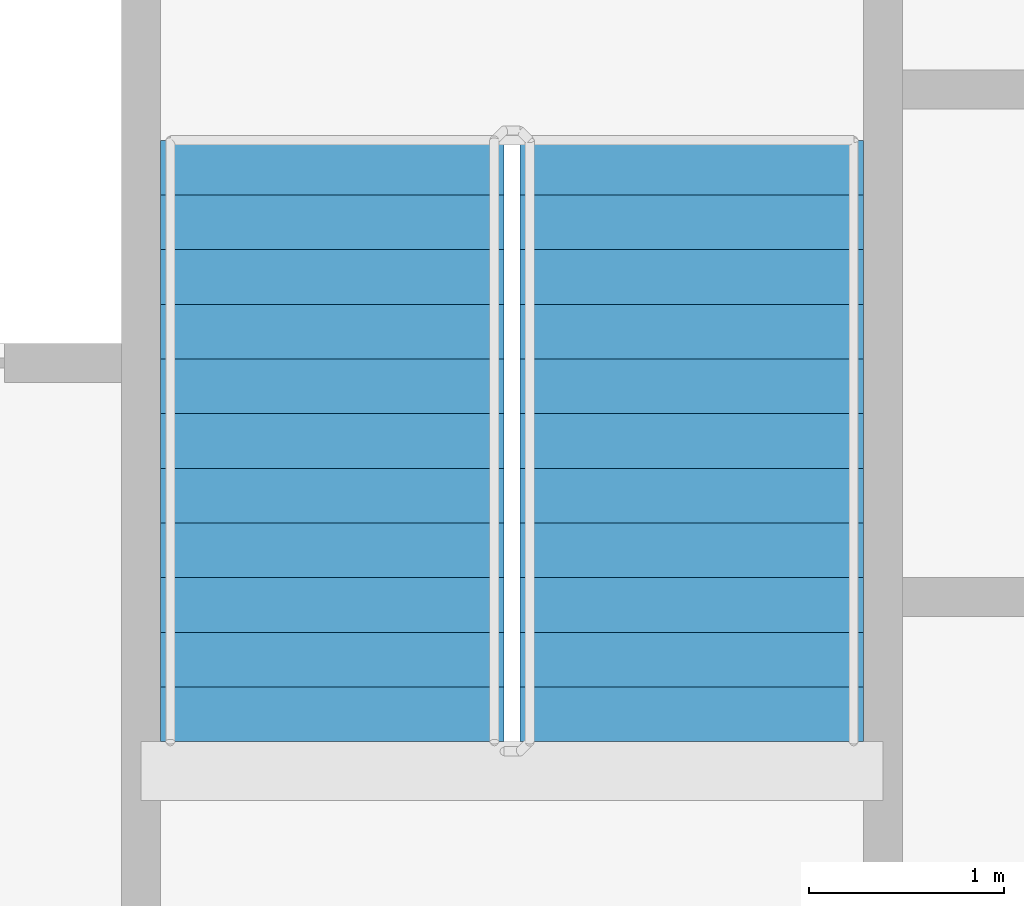
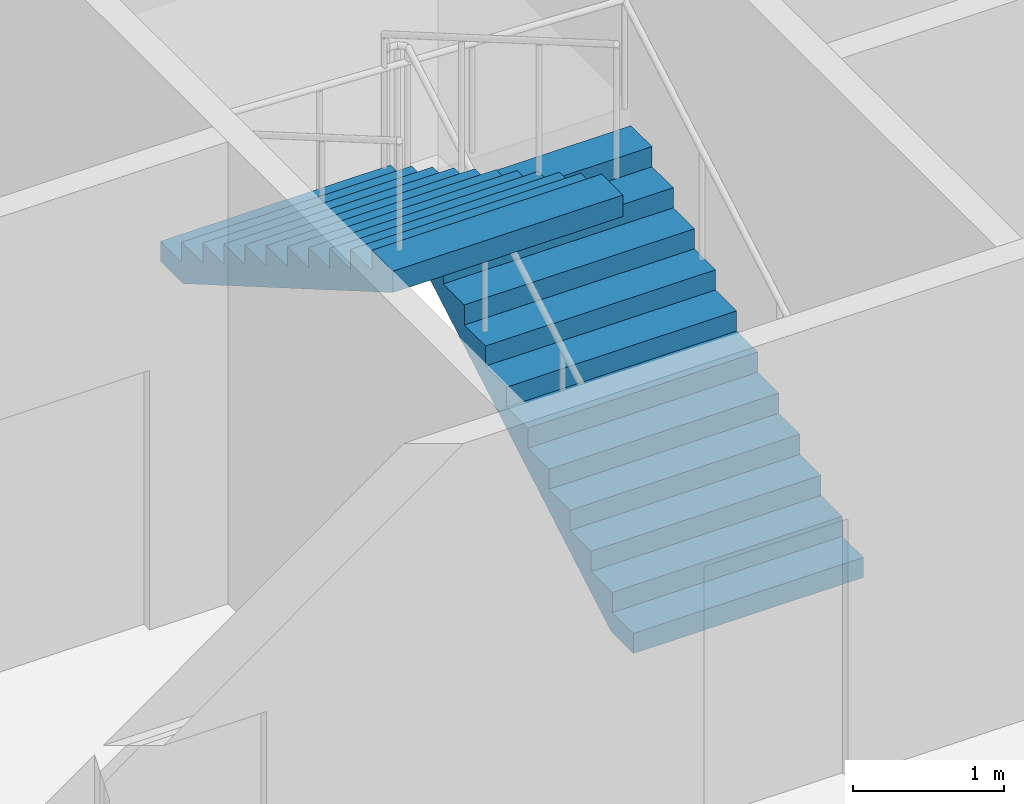
# One storey, part 18 of 23: 2 stair flights, 1 element without a shape of its own.
"""IFC4 building model written with IfcOpenShell, lengths in metres."""

import ifcopenshell
import ifcopenshell.guid

model = None  # the IFC model being written
_history = None  # IfcOwnerHistory: only IFC2X3 demands one
_inside = {}  # id of a spatial element -> (the spatial element, [elements in it])
_under = {}  # id of a project, library or spatial element -> (it, [spatial elements below it])
_declared = {}  # id of a project -> (the project, [libraries it declares])
_typed = {}  # id of a type object -> (the type object, [elements of that type])
_made_of = {}  # id of a material, layer set ... -> (it, [elements and type objects made of it])


def new_model(schema):
    """Start an empty IFC model of exactly this schema.

    Asked for "IFC4X3", IfcOpenShell would pick the latest addendum, in which some entities
    have other attributes; the version numbers below select the first issue.
    IFC2X3 requires an IfcOwnerHistory on every rooted entity: one is made here for all.
    """
    global model, _history
    if schema == "IFC4X3":
        model = ifcopenshell.file(schema_version=(4, 3, 0, 0))
    else:
        model = ifcopenshell.file(schema=schema)
    _inside.clear()
    _under.clear()
    _declared.clear()
    _typed.clear()
    _made_of.clear()
    _history = None
    if model.schema == "IFC2X3":
        org = make("IfcOrganization", Name="unknown")
        user = make(
            "IfcPersonAndOrganization",
            ThePerson=make("IfcPerson", FamilyName="unknown"),
            TheOrganization=org,
        )
        app = make(
            "IfcApplication",
            ApplicationDeveloper=org,
            Version="unknown",
            ApplicationFullName="unknown",
            ApplicationIdentifier="unknown",
        )
        _history = make(
            "IfcOwnerHistory",
            OwningUser=user,
            OwningApplication=app,
            ChangeAction="ADDED",
            CreationDate=0,
        )
    return model


def make(cls, **values):
    """One entity of the class cls with the attributes given. An attribute that is None is left unset."""
    return model.create_entity(
        cls, **{name: value for name, value in values.items() if value is not None}
    )


def rooted(cls, **values):
    """An entity with a GlobalId (a new one), such as an element, a storey or a relation."""
    return make(cls, GlobalId=ifcopenshell.guid.new(), OwnerHistory=_history, **values)


def si_unit(unit_type, name, prefix=None):
    """IfcSIUnit, for example si_unit("LENGTHUNIT", "METRE", prefix="MILLI")."""
    return make("IfcSIUnit", UnitType=unit_type, Prefix=prefix, Name=name)


def assignment(units):
    """IfcUnitAssignment: the units of a project."""
    return None if units is None else make("IfcUnitAssignment", Units=units)


def point(xyz):
    """IfcCartesianPoint."""
    return None if xyz is None else make("IfcCartesianPoint", Coordinates=xyz)


def direction(xyz):
    """IfcDirection."""
    return None if xyz is None else make("IfcDirection", DirectionRatios=xyz)


def frame(location, z_axis=None, x_axis=None):
    """IfcAxis2Placement3D, a coordinate frame: its origin and axes. An axis left out is left unset."""
    return make(
        "IfcAxis2Placement3D",
        Location=point(location),
        Axis=direction(z_axis),
        RefDirection=direction(x_axis),
    )


def origin():
    """The frame at (0, 0, 0) with its axes left unset."""
    return frame((0.0, 0.0, 0.0))


def place(relative_to, where):
    """IfcLocalPlacement: puts the frame where relative to a parent placement (None: the world)."""
    return make(
        "IfcLocalPlacement", PlacementRelTo=relative_to, RelativePlacement=where
    )


def context(
    kind, dimensions, precision=None, world=None, true_north=None, identifier=None
):
    """IfcGeometricRepresentationContext, for example the 3D "Model" context."""
    return make(
        "IfcGeometricRepresentationContext",
        ContextIdentifier=identifier,
        ContextType=kind,
        CoordinateSpaceDimension=dimensions,
        Precision=precision,
        WorldCoordinateSystem=world,
        TrueNorth=true_north,
    )


def subcontext(parent, identifier, kind, view, scale=None):
    """IfcGeometricRepresentationSubContext, for example "Body" below "Model"."""
    return make(
        "IfcGeometricRepresentationSubContext",
        ContextIdentifier=identifier,
        ContextType=kind,
        ParentContext=parent,
        TargetScale=scale,
        TargetView=view,
    )


def project(units=None, contexts=None):
    """IfcProject with its units and contexts."""
    return rooted(
        "IfcProject",
        Name="project",
        RepresentationContexts=contexts,
        UnitsInContext=assignment(units),
    )


def spatial(cls, under=None, at=None, **own):
    """A site, building, storey or space (cls), placed at a placement, below another one or the project."""
    s = rooted(cls, ObjectPlacement=at, **own)
    if under is not None:
        _under.setdefault(under.id(), (under, []))[1].append(s)
    return s


def faces_of(points, faces, orient=None, outer=None):
    """IfcFace entities. A face is a list of loops; a loop is a list of indices into points, from 0.

    orient and outer hold one flag for each loop. By default every Orientation is true, the
    first loop of a face is its IfcFaceOuterBound and the others are IfcFaceBound.
    """
    made = []
    for i, loops in enumerate(faces):
        bounds = []
        for j, loop in enumerate(loops):
            is_outer = j == 0 if outer is None else outer[i][j]
            bounds.append(
                make(
                    "IfcFaceOuterBound" if is_outer else "IfcFaceBound",
                    Bound=make("IfcPolyLoop", Polygon=[points[k] for k in loop]),
                    Orientation=True if orient is None else orient[i][j],
                )
            )
        made.append(make("IfcFace", Bounds=bounds))
    return made


def faceted_brep(points, faces, orient=None, outer=None, voids=None):
    """IfcFacetedBrep: a solid bounded by flat faces; with voids (closed shells), ...WithVoids."""
    shared = [point(p) for p in points]
    hull = make("IfcClosedShell", CfsFaces=faces_of(shared, faces, orient, outer))
    if voids is None:
        return make("IfcFacetedBrep", Outer=hull)
    return make(
        "IfcFacetedBrepWithVoids",
        Outer=hull,
        Voids=[
            make(cls, CfsFaces=faces_of(shared, fs, o, b)) for cls, fs, o, b in voids
        ],
    )


def shape(context_of_items, identifier, shape_type, items):
    """IfcShapeRepresentation: the items that make up one representation, for example the "Body"."""
    return make(
        "IfcShapeRepresentation",
        ContextOfItems=context_of_items,
        RepresentationIdentifier=identifier,
        RepresentationType=shape_type,
        Items=items,
    )


def material(Name=None, Category=None):
    """IfcMaterial."""
    return make("IfcMaterial", Name=Name, Category=Category)


def made_of(thing, what):
    """Note that an element or type object is made of a material, layer set ...; save() writes the relation."""
    if what is not None:
        _made_of.setdefault(what.id(), (what, []))[1].append(thing)
    return thing


def type_object(cls, material=None, **own):
    """A type object (cls), such as IfcWallType, which elements share."""
    return made_of(rooted(cls, **own), material)


def element(
    cls,
    number,
    at=None,
    inside=None,
    cuts=None,
    type_object=None,
    material=None,
    context=None,
    identifier="Body",
    shape_type=None,
    held_by="IfcProductDefinitionShape",
    body=None,
    shapes=None,
    **own,
):
    """One element of the class cls, such as IfcWall. Its Tag is "e" and its number.

    at: its placement. inside: the storey or other place that contains it. cuts: it is an
    opening in that element (IfcRelVoidsElement). A single representation is given by context,
    identifier, shape_type and body (its items); several are given by shapes. held_by: the class
    of the entity that holds the representations. save() writes the other relations.
    """
    e = rooted(cls, Tag="e%d" % number, ObjectPlacement=at, **own)
    if body is not None:
        shapes = [shape(context, identifier, shape_type, body)]
    if shapes is not None:
        e.Representation = make(held_by, Representations=shapes)
    if inside is not None:
        _inside.setdefault(inside.id(), (inside, []))[1].append(e)
    if cuts is not None:
        rooted(
            "IfcRelVoidsElement", RelatingBuildingElement=cuts, RelatedOpeningElement=e
        )
    if type_object is not None:
        _typed.setdefault(type_object.id(), (type_object, []))[1].append(e)
    return made_of(e, material)


def aggregate(whole, parts):
    """IfcRelAggregates: a whole, such as a stair, and the parts it consists of."""
    return rooted("IfcRelAggregates", RelatingObject=whole, RelatedObjects=parts)


def save(model, path):
    """Write the relations noted so far, then the file.

    IfcRelAggregates (storeys below a building ...), IfcRelContainedInSpatialStructure (elements
    in a storey), IfcRelDefinesByType, IfcRelAssociatesMaterial and IfcRelDeclares: one each for
    every whole, place, type object, material and project.
    """
    for whole, parts in _under.values():
        aggregate(whole, parts)
    for where, things in _inside.values():
        rooted(
            "IfcRelContainedInSpatialStructure",
            RelatedElements=things,
            RelatingStructure=where,
        )
    for kind, things in _typed.values():
        rooted("IfcRelDefinesByType", RelatedObjects=things, RelatingType=kind)
    for what, things in _made_of.values():
        rooted("IfcRelAssociatesMaterial", RelatedObjects=things, RelatingMaterial=what)
    for by, libraries in _declared.values():
        rooted("IfcRelDeclares", RelatingContext=by, RelatedDefinitions=libraries)
    model.write(path)


model = new_model("IFC4")

# Units and contexts
model_context = context("Model", 3, precision=1e-05, world=origin(), true_north=direction((0.0, 1.0)))
body_context = subcontext(model_context, "Body", "Model", "MODEL_VIEW")
ifc_project = project(units=[si_unit("LENGTHUNIT", "METRE"), si_unit("AREAUNIT", "SQUARE_METRE"), si_unit("VOLUMEUNIT", "CUBIC_METRE"), si_unit("PLANEANGLEUNIT", "RADIAN"), si_unit("MASSUNIT", "GRAM", prefix="KILO")], contexts=[model_context])

# Site, building, storey
site_placement = place(None, origin())
site = spatial("IfcSite", under=ifc_project, at=site_placement, CompositionType="ELEMENT")
building_placement = place(site_placement, origin())
building = spatial("IfcBuilding", under=site, at=building_placement, Name="Tarsis Ring Headquarters", CompositionType="ELEMENT")
storey_placement = place(building_placement, frame((0.0, 0.0, 239.39990234375)))
storey = spatial("IfcBuildingStorey", under=building, at=storey_placement, Name="L56", CompositionType="ELEMENT", Elevation=239.39990234375)

# Stair, stair flights
ifc_material_1 = material(Name="Core stair 1760")
stair_type = type_object("IfcStairType", Name="Core stair 1760", PredefinedType="HALF_TURN_STAIR", material=ifc_material_1)
stair_placement = place(storey_placement, origin())
stair = element("IfcStair", 1, at=stair_placement, inside=storey, type_object=stair_type, Name="L56 Exit stair B", PredefinedType="HALF_TURN_STAIR")
ifc_material_2 = material(Name="Concrete C40/50", Category="concrete")
stair_flight_type = type_object("IfcStairFlightType", Name="Core stair flight 1760", PredefinedType="STRAIGHT", material=ifc_material_2)
stair_flight_1_placement = place(storey_placement, frame((5.419921875, 3.659912109375, 0.0), z_axis=(0.0, 0.0, 1.0), x_axis=(0.0, 1.0, 0.0)))
stair_flight_1 = element("IfcStairFlight", 2, at=stair_flight_1_placement, type_object=stair_flight_type, Name="Stair ST2 flight 1", NumberOfRisers=12, NumberOfTreads=11, PredefinedType="STRAIGHT", RiserHeight=0.1625, TreadLength=0.28, context=body_context, shape_type="Brep", body=[
    faceted_brep([(0.0, 0.8798828125, 0.0), (0.0, 0.8798828125, 0.16259765625), (0.280029296875, 0.8798828125, 0.16259765625), (0.280029296875, 0.8798828125, 0.324951171875), (0.56005859375, 0.8798828125, 0.324951171875), (0.56005859375, 0.8798828125, 0.487548828125), (0.840087890625, 0.8798828125, 0.487548828125), (0.840087890625, 0.8798828125, 0.64990234375), (1.1201171875, 0.8798828125, 0.64990234375), (1.1201171875, 0.8798828125, 0.8125), (1.39990234375, 0.8798828125, 0.8125), (1.39990234375, 0.8798828125, 0.97509765625), (1.679931640625, 0.8798828125, 0.97509765625), (1.679931640625, 0.8798828125, 1.137451171875), (1.9599609375, 0.8798828125, 1.137451171875), (1.9599609375, 0.8798828125, 1.300048828125), (2.239990234375, 0.8798828125, 1.300048828125), (2.239990234375, 0.8798828125, 1.46240234375), (2.52001953125, 0.8798828125, 1.46240234375), (2.52001953125, 0.8798828125, 1.625), (2.800048828125, 0.8798828125, 1.625), (2.800048828125, 0.8798828125, 1.78759765625), (3.080078125, 0.8798828125, 1.78759765625), (3.080078125, 0.8798828125, 1.6142578125), (0.298583984375, 0.8798828125, 0.0), (0.298583984375, -0.8798828125, 0.0), (3.080078125, -0.8798828125, 1.6142578125), (3.080078125, -0.8798828125, 1.78759765625), (2.800048828125, -0.8798828125, 1.78759765625), (2.800048828125, -0.8798828125, 1.625), (2.52001953125, -0.8798828125, 1.625), (2.52001953125, -0.8798828125, 1.46240234375), (2.239990234375, -0.8798828125, 1.46240234375), (2.239990234375, -0.8798828125, 1.300048828125), (1.9599609375, -0.8798828125, 1.300048828125), (1.9599609375, -0.8798828125, 1.137451171875), (1.679931640625, -0.8798828125, 1.137451171875), (1.679931640625, -0.8798828125, 0.97509765625), (1.39990234375, -0.8798828125, 0.97509765625), (1.39990234375, -0.8798828125, 0.8125), (1.1201171875, -0.8798828125, 0.8125), (1.1201171875, -0.8798828125, 0.64990234375), (0.840087890625, -0.8798828125, 0.64990234375), (0.840087890625, -0.8798828125, 0.487548828125), (0.56005859375, -0.8798828125, 0.487548828125), (0.56005859375, -0.8798828125, 0.324951171875), (0.280029296875, -0.8798828125, 0.324951171875), (0.280029296875, -0.8798828125, 0.16259765625), (0.0, -0.8798828125, 0.16259765625), (0.0, -0.8798828125, 0.0), (0.0, -0.43994140625, 0.16259765625), (0.0, -0.43994140625, 0.0), (0.0, 0.0, 0.16259765625), (0.0, 0.0, 0.0), (0.0, 0.43994140625, 0.16259765625), (0.0, 0.43994140625, 0.0), (0.280029296875, -0.43994140625, 0.16259765625), (0.280029296875, 0.0, 0.16259765625), (0.280029296875, 0.43994140625, 0.16259765625), (0.280029296875, -0.43994140625, 0.324951171875), (0.280029296875, 0.0, 0.324951171875), (0.280029296875, 0.43994140625, 0.324951171875), (0.56005859375, -0.43994140625, 0.324951171875), (0.56005859375, 0.0, 0.324951171875), (0.56005859375, 0.43994140625, 0.324951171875), (0.56005859375, -0.43994140625, 0.487548828125), (0.56005859375, 0.0, 0.487548828125), (0.56005859375, 0.43994140625, 0.487548828125), (0.840087890625, -0.43994140625, 0.487548828125), (0.840087890625, 0.0, 0.487548828125), (0.840087890625, 0.43994140625, 0.487548828125), (0.840087890625, -0.43994140625, 0.64990234375), (0.840087890625, 0.0, 0.64990234375), (0.840087890625, 0.43994140625, 0.64990234375), (1.1201171875, -0.43994140625, 0.64990234375), (1.1201171875, 0.0, 0.64990234375), (1.1201171875, 0.43994140625, 0.64990234375), (1.1201171875, -0.43994140625, 0.8125), (1.1201171875, 0.0, 0.8125), (1.1201171875, 0.43994140625, 0.8125), (1.39990234375, -0.43994140625, 0.8125), (1.39990234375, 0.0, 0.8125), (1.39990234375, 0.43994140625, 0.8125), (1.39990234375, -0.43994140625, 0.97509765625), (1.39990234375, 0.0, 0.97509765625), (1.39990234375, 0.43994140625, 0.97509765625), (1.679931640625, -0.43994140625, 0.97509765625), (1.679931640625, 0.0, 0.97509765625), (1.679931640625, 0.43994140625, 0.97509765625), (1.679931640625, -0.43994140625, 1.137451171875), (1.679931640625, 0.0, 1.137451171875), (1.679931640625, 0.43994140625, 1.137451171875), (1.9599609375, -0.43994140625, 1.137451171875), (1.9599609375, 0.0, 1.137451171875), (1.9599609375, 0.43994140625, 1.137451171875), (1.9599609375, -0.43994140625, 1.300048828125), (1.9599609375, 0.0, 1.300048828125), (1.9599609375, 0.43994140625, 1.300048828125), (2.239990234375, -0.43994140625, 1.300048828125), (2.239990234375, 0.0, 1.300048828125), (2.239990234375, 0.43994140625, 1.300048828125), (2.239990234375, -0.43994140625, 1.46240234375), (2.239990234375, 0.0, 1.46240234375), (2.239990234375, 0.43994140625, 1.46240234375), (2.52001953125, -0.43994140625, 1.46240234375), (2.52001953125, 0.0, 1.46240234375), (2.52001953125, 0.43994140625, 1.46240234375), (2.52001953125, -0.43994140625, 1.625), (2.52001953125, 0.0, 1.625), (2.52001953125, 0.43994140625, 1.625), (2.800048828125, -0.43994140625, 1.625), (2.800048828125, 0.0, 1.625), (2.800048828125, 0.43994140625, 1.625), (2.800048828125, -0.43994140625, 1.78759765625), (2.800048828125, 0.0, 1.78759765625), (2.800048828125, 0.43994140625, 1.78759765625), (3.080078125, -0.43994140625, 1.78759765625), (3.080078125, 0.0, 1.78759765625), (3.080078125, 0.43994140625, 1.78759765625), (3.080078125, -0.43994140625, 1.6142578125), (3.080078125, 0.0, 1.6142578125), (3.080078125, 0.43994140625, 1.6142578125), (0.298583984375, -0.43994140625, 0.0), (0.298583984375, 0.0, 0.0), (0.298583984375, 0.43994140625, 0.0)], [[[0, 1, 2, 3, 4, 5, 6, 7, 8, 9, 10, 11, 12, 13, 14, 15, 16, 17, 18, 19, 20, 21, 22, 23, 24]], [[25, 26, 27, 28, 29, 30, 31, 32, 33, 34, 35, 36, 37, 38, 39, 40, 41, 42, 43, 44, 45, 46, 47, 48, 49]], [[49, 48, 50, 51]], [[51, 50, 52, 53]], [[53, 52, 54, 55]], [[55, 54, 1, 0]], [[48, 47, 56, 50]], [[50, 56, 57, 52]], [[52, 57, 58, 54]], [[54, 58, 2, 1]], [[47, 46, 59, 56]], [[56, 59, 60, 57]], [[57, 60, 61, 58]], [[58, 61, 3, 2]], [[46, 45, 62, 59]], [[59, 62, 63, 60]], [[60, 63, 64, 61]], [[61, 64, 4, 3]], [[45, 44, 65, 62]], [[62, 65, 66, 63]], [[63, 66, 67, 64]], [[64, 67, 5, 4]], [[44, 43, 68, 65]], [[65, 68, 69, 66]], [[66, 69, 70, 67]], [[67, 70, 6, 5]], [[43, 42, 71, 68]], [[68, 71, 72, 69]], [[69, 72, 73, 70]], [[70, 73, 7, 6]], [[42, 41, 74, 71]], [[71, 74, 75, 72]], [[72, 75, 76, 73]], [[73, 76, 8, 7]], [[41, 40, 77, 74]], [[74, 77, 78, 75]], [[75, 78, 79, 76]], [[76, 79, 9, 8]], [[40, 39, 80, 77]], [[77, 80, 81, 78]], [[78, 81, 82, 79]], [[79, 82, 10, 9]], [[39, 38, 83, 80]], [[80, 83, 84, 81]], [[81, 84, 85, 82]], [[82, 85, 11, 10]], [[38, 37, 86, 83]], [[83, 86, 87, 84]], [[84, 87, 88, 85]], [[85, 88, 12, 11]], [[37, 36, 89, 86]], [[86, 89, 90, 87]], [[87, 90, 91, 88]], [[88, 91, 13, 12]], [[36, 35, 92, 89]], [[89, 92, 93, 90]], [[90, 93, 94, 91]], [[91, 94, 14, 13]], [[35, 34, 95, 92]], [[92, 95, 96, 93]], [[93, 96, 97, 94]], [[94, 97, 15, 14]], [[34, 33, 98, 95]], [[95, 98, 99, 96]], [[96, 99, 100, 97]], [[97, 100, 16, 15]], [[33, 32, 101, 98]], [[98, 101, 102, 99]], [[99, 102, 103, 100]], [[100, 103, 17, 16]], [[32, 31, 104, 101]], [[101, 104, 105, 102]], [[102, 105, 106, 103]], [[103, 106, 18, 17]], [[31, 30, 107, 104]], [[104, 107, 108, 105]], [[105, 108, 109, 106]], [[106, 109, 19, 18]], [[30, 29, 110, 107]], [[107, 110, 111, 108]], [[108, 111, 112, 109]], [[109, 112, 20, 19]], [[29, 28, 113, 110]], [[110, 113, 114, 111]], [[111, 114, 115, 112]], [[112, 115, 21, 20]], [[28, 27, 116, 113]], [[113, 116, 117, 114]], [[114, 117, 118, 115]], [[115, 118, 22, 21]], [[27, 26, 119, 116]], [[116, 119, 120, 117]], [[117, 120, 121, 118]], [[118, 121, 23, 22]], [[26, 25, 122, 119]], [[119, 122, 123, 120]], [[120, 123, 124, 121]], [[121, 124, 24, 23]], [[25, 49, 51, 122]], [[122, 51, 53, 123]], [[123, 53, 55, 124]], [[124, 55, 0, 24]]]),
])
stair_flight_2_placement = place(storey_placement, frame((3.580078125, 6.739990234375, 1.9501953125), z_axis=(0.0, 0.0, 1.0), x_axis=(0.0, -1.0, 0.0)))
stair_flight_2 = element("IfcStairFlight", 3, at=stair_flight_2_placement, type_object=stair_flight_type, Name="Stair ST2 flight 2", NumberOfRisers=12, NumberOfTreads=11, PredefinedType="STRAIGHT", RiserHeight=0.1625, TreadLength=0.28, context=body_context, shape_type="Brep", body=[
    faceted_brep([(0.0, 0.8798828125, 0.0), (0.0, 0.8798828125, 0.16259765625), (0.280029296875, 0.8798828125, 0.16259765625), (0.280029296875, 0.8798828125, 0.324951171875), (0.56005859375, 0.8798828125, 0.324951171875), (0.56005859375, 0.8798828125, 0.487548828125), (0.840087890625, 0.8798828125, 0.487548828125), (0.840087890625, 0.8798828125, 0.64990234375), (1.1201171875, 0.8798828125, 0.64990234375), (1.1201171875, 0.8798828125, 0.8125), (1.39990234375, 0.8798828125, 0.8125), (1.39990234375, 0.8798828125, 0.97509765625), (1.679931640625, 0.8798828125, 0.97509765625), (1.679931640625, 0.8798828125, 1.137451171875), (1.9599609375, 0.8798828125, 1.137451171875), (1.9599609375, 0.8798828125, 1.300048828125), (2.239990234375, 0.8798828125, 1.300048828125), (2.239990234375, 0.8798828125, 1.46240234375), (2.52001953125, 0.8798828125, 1.46240234375), (2.52001953125, 0.8798828125, 1.625), (2.800048828125, 0.8798828125, 1.625), (2.800048828125, 0.8798828125, 1.78759765625), (3.080078125, 0.8798828125, 1.78759765625), (3.080078125, 0.8798828125, 1.6142578125), (0.298583984375, 0.8798828125, 0.0), (0.298583984375, -0.8798828125, 0.0), (3.080078125, -0.8798828125, 1.6142578125), (3.080078125, -0.8798828125, 1.78759765625), (2.800048828125, -0.8798828125, 1.78759765625), (2.800048828125, -0.8798828125, 1.625), (2.52001953125, -0.8798828125, 1.625), (2.52001953125, -0.8798828125, 1.46240234375), (2.239990234375, -0.8798828125, 1.46240234375), (2.239990234375, -0.8798828125, 1.300048828125), (1.9599609375, -0.8798828125, 1.300048828125), (1.9599609375, -0.8798828125, 1.137451171875), (1.679931640625, -0.8798828125, 1.137451171875), (1.679931640625, -0.8798828125, 0.97509765625), (1.39990234375, -0.8798828125, 0.97509765625), (1.39990234375, -0.8798828125, 0.8125), (1.1201171875, -0.8798828125, 0.8125), (1.1201171875, -0.8798828125, 0.64990234375), (0.840087890625, -0.8798828125, 0.64990234375), (0.840087890625, -0.8798828125, 0.487548828125), (0.56005859375, -0.8798828125, 0.487548828125), (0.56005859375, -0.8798828125, 0.324951171875), (0.280029296875, -0.8798828125, 0.324951171875), (0.280029296875, -0.8798828125, 0.16259765625), (0.0, -0.8798828125, 0.16259765625), (0.0, -0.8798828125, 0.0), (0.0, -0.43994140625, 0.16259765625), (0.0, -0.43994140625, 0.0), (0.0, 0.0, 0.16259765625), (0.0, 0.0, 0.0), (0.0, 0.43994140625, 0.16259765625), (0.0, 0.43994140625, 0.0), (0.280029296875, -0.43994140625, 0.16259765625), (0.280029296875, 0.0, 0.16259765625), (0.280029296875, 0.43994140625, 0.16259765625), (0.280029296875, -0.43994140625, 0.324951171875), (0.280029296875, 0.0, 0.324951171875), (0.280029296875, 0.43994140625, 0.324951171875), (0.56005859375, -0.43994140625, 0.324951171875), (0.56005859375, 0.0, 0.324951171875), (0.56005859375, 0.43994140625, 0.324951171875), (0.56005859375, -0.43994140625, 0.487548828125), (0.56005859375, 0.0, 0.487548828125), (0.56005859375, 0.43994140625, 0.487548828125), (0.840087890625, -0.43994140625, 0.487548828125), (0.840087890625, 0.0, 0.487548828125), (0.840087890625, 0.43994140625, 0.487548828125), (0.840087890625, -0.43994140625, 0.64990234375), (0.840087890625, 0.0, 0.64990234375), (0.840087890625, 0.43994140625, 0.64990234375), (1.1201171875, -0.43994140625, 0.64990234375), (1.1201171875, 0.0, 0.64990234375), (1.1201171875, 0.43994140625, 0.64990234375), (1.1201171875, -0.43994140625, 0.8125), (1.1201171875, 0.0, 0.8125), (1.1201171875, 0.43994140625, 0.8125), (1.39990234375, -0.43994140625, 0.8125), (1.39990234375, 0.0, 0.8125), (1.39990234375, 0.43994140625, 0.8125), (1.39990234375, -0.43994140625, 0.97509765625), (1.39990234375, 0.0, 0.97509765625), (1.39990234375, 0.43994140625, 0.97509765625), (1.679931640625, -0.43994140625, 0.97509765625), (1.679931640625, 0.0, 0.97509765625), (1.679931640625, 0.43994140625, 0.97509765625), (1.679931640625, -0.43994140625, 1.137451171875), (1.679931640625, 0.0, 1.137451171875), (1.679931640625, 0.43994140625, 1.137451171875), (1.9599609375, -0.43994140625, 1.137451171875), (1.9599609375, 0.0, 1.137451171875), (1.9599609375, 0.43994140625, 1.137451171875), (1.9599609375, -0.43994140625, 1.300048828125), (1.9599609375, 0.0, 1.300048828125), (1.9599609375, 0.43994140625, 1.300048828125), (2.239990234375, -0.43994140625, 1.300048828125), (2.239990234375, 0.0, 1.300048828125), (2.239990234375, 0.43994140625, 1.300048828125), (2.239990234375, -0.43994140625, 1.46240234375), (2.239990234375, 0.0, 1.46240234375), (2.239990234375, 0.43994140625, 1.46240234375), (2.52001953125, -0.43994140625, 1.46240234375), (2.52001953125, 0.0, 1.46240234375), (2.52001953125, 0.43994140625, 1.46240234375), (2.52001953125, -0.43994140625, 1.625), (2.52001953125, 0.0, 1.625), (2.52001953125, 0.43994140625, 1.625), (2.800048828125, -0.43994140625, 1.625), (2.800048828125, 0.0, 1.625), (2.800048828125, 0.43994140625, 1.625), (2.800048828125, -0.43994140625, 1.78759765625), (2.800048828125, 0.0, 1.78759765625), (2.800048828125, 0.43994140625, 1.78759765625), (3.080078125, -0.43994140625, 1.78759765625), (3.080078125, 0.0, 1.78759765625), (3.080078125, 0.43994140625, 1.78759765625), (3.080078125, -0.43994140625, 1.6142578125), (3.080078125, 0.0, 1.6142578125), (3.080078125, 0.43994140625, 1.6142578125), (0.298583984375, -0.43994140625, 0.0), (0.298583984375, 0.0, 0.0), (0.298583984375, 0.43994140625, 0.0)], [[[0, 1, 2, 3, 4, 5, 6, 7, 8, 9, 10, 11, 12, 13, 14, 15, 16, 17, 18, 19, 20, 21, 22, 23, 24]], [[25, 26, 27, 28, 29, 30, 31, 32, 33, 34, 35, 36, 37, 38, 39, 40, 41, 42, 43, 44, 45, 46, 47, 48, 49]], [[49, 48, 50, 51]], [[51, 50, 52, 53]], [[53, 52, 54, 55]], [[55, 54, 1, 0]], [[48, 47, 56, 50]], [[50, 56, 57, 52]], [[52, 57, 58, 54]], [[54, 58, 2, 1]], [[47, 46, 59, 56]], [[56, 59, 60, 57]], [[57, 60, 61, 58]], [[58, 61, 3, 2]], [[46, 45, 62, 59]], [[59, 62, 63, 60]], [[60, 63, 64, 61]], [[61, 64, 4, 3]], [[45, 44, 65, 62]], [[62, 65, 66, 63]], [[63, 66, 67, 64]], [[64, 67, 5, 4]], [[44, 43, 68, 65]], [[65, 68, 69, 66]], [[66, 69, 70, 67]], [[67, 70, 6, 5]], [[43, 42, 71, 68]], [[68, 71, 72, 69]], [[69, 72, 73, 70]], [[70, 73, 7, 6]], [[42, 41, 74, 71]], [[71, 74, 75, 72]], [[72, 75, 76, 73]], [[73, 76, 8, 7]], [[41, 40, 77, 74]], [[74, 77, 78, 75]], [[75, 78, 79, 76]], [[76, 79, 9, 8]], [[40, 39, 80, 77]], [[77, 80, 81, 78]], [[78, 81, 82, 79]], [[79, 82, 10, 9]], [[39, 38, 83, 80]], [[80, 83, 84, 81]], [[81, 84, 85, 82]], [[82, 85, 11, 10]], [[38, 37, 86, 83]], [[83, 86, 87, 84]], [[84, 87, 88, 85]], [[85, 88, 12, 11]], [[37, 36, 89, 86]], [[86, 89, 90, 87]], [[87, 90, 91, 88]], [[88, 91, 13, 12]], [[36, 35, 92, 89]], [[89, 92, 93, 90]], [[90, 93, 94, 91]], [[91, 94, 14, 13]], [[35, 34, 95, 92]], [[92, 95, 96, 93]], [[93, 96, 97, 94]], [[94, 97, 15, 14]], [[34, 33, 98, 95]], [[95, 98, 99, 96]], [[96, 99, 100, 97]], [[97, 100, 16, 15]], [[33, 32, 101, 98]], [[98, 101, 102, 99]], [[99, 102, 103, 100]], [[100, 103, 17, 16]], [[32, 31, 104, 101]], [[101, 104, 105, 102]], [[102, 105, 106, 103]], [[103, 106, 18, 17]], [[31, 30, 107, 104]], [[104, 107, 108, 105]], [[105, 108, 109, 106]], [[106, 109, 19, 18]], [[30, 29, 110, 107]], [[107, 110, 111, 108]], [[108, 111, 112, 109]], [[109, 112, 20, 19]], [[29, 28, 113, 110]], [[110, 113, 114, 111]], [[111, 114, 115, 112]], [[112, 115, 21, 20]], [[28, 27, 116, 113]], [[113, 116, 117, 114]], [[114, 117, 118, 115]], [[115, 118, 22, 21]], [[27, 26, 119, 116]], [[116, 119, 120, 117]], [[117, 120, 121, 118]], [[118, 121, 23, 22]], [[26, 25, 122, 119]], [[119, 122, 123, 120]], [[120, 123, 124, 121]], [[121, 124, 24, 23]], [[25, 49, 51, 122]], [[122, 51, 53, 123]], [[123, 53, 55, 124]], [[124, 55, 0, 24]]]),
])
aggregate(stair, [stair_flight_1, stair_flight_2])

save(model, "model.ifc")
